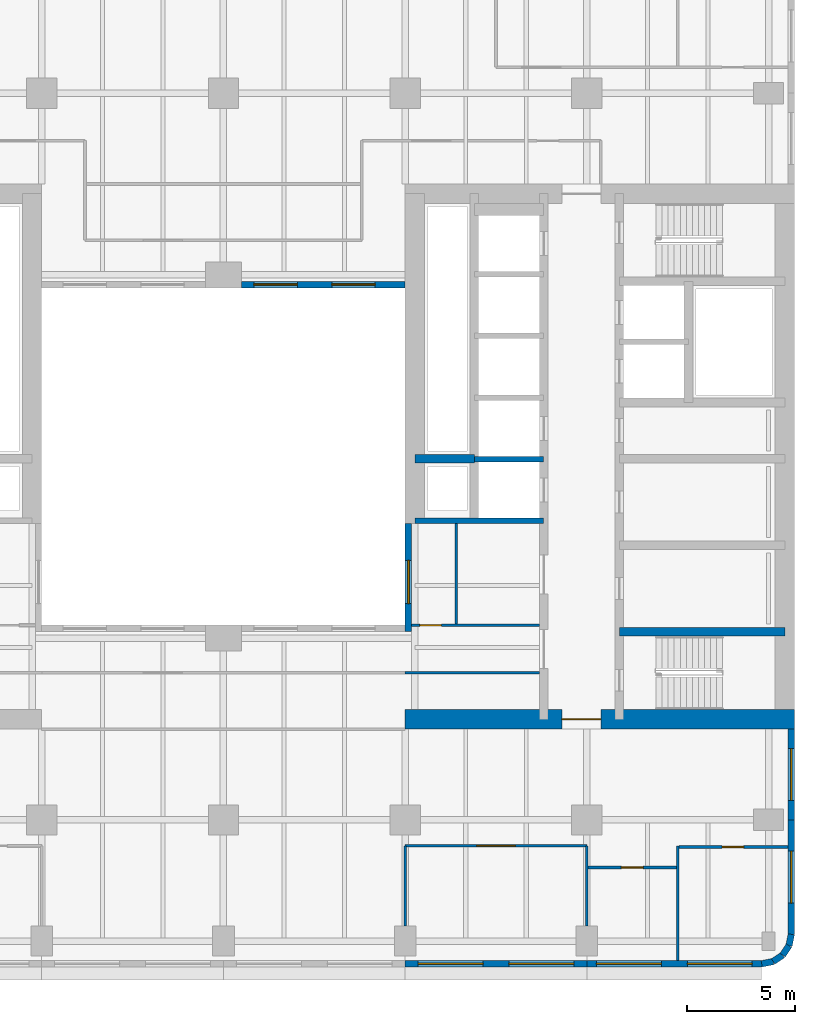
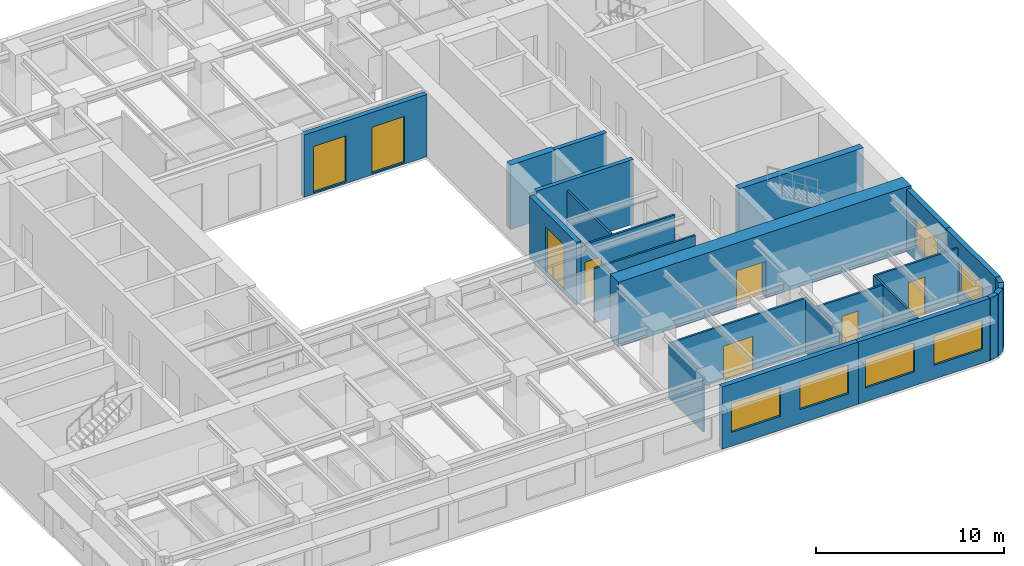
# One storey, part 5 of 11: 24 walls, 9 windows, 5 doors, 14 openings.
"""IFC4 building model written with IfcOpenShell, lengths in metres."""

from ifc_helpers import new_model, si_unit, direction, frame, frame_2d, origin, place, context, subcontext, project, spatial, rectangle, extrude, material, layer, layer_set, type_object, element, fill, save


model = new_model("IFC4")

# Units and contexts
model_context = context("Model", 3, precision=1e-05, world=origin(), true_north=direction((0.0, 1.0)))
body_context = subcontext(model_context, "Body", "Model", "MODEL_VIEW")
ifc_project = project(units=[si_unit("LENGTHUNIT", "METRE"), si_unit("AREAUNIT", "SQUARE_METRE"), si_unit("VOLUMEUNIT", "CUBIC_METRE"), si_unit("PLANEANGLEUNIT", "RADIAN"), si_unit("MASSUNIT", "GRAM", prefix="KILO")], contexts=[model_context])

# Site, building, storey
site_placement = place(None, origin())
site = spatial("IfcSite", under=ifc_project, at=site_placement, CompositionType="ELEMENT")
building_placement = place(site_placement, origin())
building = spatial("IfcBuilding", under=site, at=building_placement, Name="Claustro Exchange Tower", CompositionType="ELEMENT")
storey_placement = place(building_placement, frame((0.0, 0.0, 105.0)))
storey = spatial("IfcBuildingStorey", under=building, at=storey_placement, Name="L23", CompositionType="ELEMENT", Elevation=105.0)

# Wall, opening, door
ifc_material_1 = material(Name="Laminated glass in aluminium frame", Category="aluminium")
ifc_layer_1 = layer(ifc_material_1, 0.1201171875)
ifc_layer_set_1 = layer_set([ifc_layer_1], Name="Laminated glass in aluminium frame")
wall_type_1 = type_object("IfcWallType", Name="P2 120 glazed partition", PredefinedType="PARTITIONING", material=ifc_layer_set_1)
wall_1_placement = place(storey_placement, frame((33.89794921875, 17.39990234375, 0.0), z_axis=(0.0, 0.0, 1.0), x_axis=(1.0, 0.0, 0.0)))
wall_1 = element("IfcWall", 1, at=wall_1_placement, inside=storey, type_object=wall_type_1, Name="Partition P2 L23", PredefinedType="PARTITIONING", context=body_context, shape_type="SweptSolid", body=[
    extrude(rectangle(XDim=5.904052734375, YDim=0.1201171875, at=frame_2d((2.9521484375, 0.0))), origin(), (0.0, 0.0, 1.0), 3.550048828125),
])
opening_1_placement = place(wall_1_placement, frame((0.3798828125, 0.0, 0.0)))
opening_1 = element("IfcOpeningElement", 2, at=opening_1_placement, cuts=wall_1, Name="Opening D7", PredefinedType="OPENING", context=body_context, shape_type="SweptSolid", body=[
    extrude(rectangle(XDim=1.0, YDim=2.39990234375, at=frame_2d((0.5, 1.199951171875))), frame((0.0, 0.070068359375, 0.0), z_axis=(0.0, -1.0, 0.0), x_axis=(1.0, 0.0, 0.0)), (0.0, 0.0, 1.0), 0.14013671875),
])
ifc_material_2 = material(Name="Glass door in aluminium frame", Category="aluminium")
door_type_1 = type_object("IfcDoorType", Name="D7 1000 x 2400 glazed door", OperationType="SINGLE_SWING_LEFT", PredefinedType="DOOR", material=ifc_material_2)
door_1_placement = place(opening_1_placement, origin())
door_1 = element("IfcDoor", 3, at=door_1_placement, inside=storey, type_object=door_type_1, Name="Door D7 L23", OperationType="SINGLE_SWING_RIGHT", OverallHeight=2.39990234375, OverallWidth=1.0, PredefinedType="DOOR", context=body_context, shape_type="SweptSolid", body=[
    extrude(rectangle(XDim=1.0, YDim=2.39990234375, at=frame_2d((0.5, 1.199951171875))), frame((0.0, 0.02490234375, 0.0), z_axis=(0.0, -1.0, 0.0), x_axis=(1.0, 0.0, 0.0)), (0.0, 0.0, 1.0), 0.050048828125),
])
fill(opening_1, door_1)

# Wall
wall_2_placement = place(storey_placement, frame((35.9560546875, 17.4580078125, 0.0), z_axis=(0.0, 0.0, 1.0), x_axis=(0.0, 1.0, 0.0)))
element("IfcWall", 4, at=wall_2_placement, inside=storey, type_object=wall_type_1, Name="Partition P2 L23", PredefinedType="PARTITIONING", context=body_context, shape_type="SweptSolid", body=[
    extrude(rectangle(XDim=4.64404296875, YDim=0.1201171875, at=frame_2d((2.322021484375, 0.0))), origin(), (0.0, 0.0, 1.0), 3.60009765625),
])

# Wall, opening, door
wall_3_placement = place(storey_placement, frame((42.05810546875, 6.199951171875, 0.0), z_axis=(0.0, 0.0, 1.0), x_axis=(1.0, 0.0, 0.0)))
wall_3 = element("IfcWall", 5, at=wall_3_placement, inside=storey, type_object=wall_type_1, Name="Partition P2 L23", PredefinedType="PARTITIONING", context=body_context, shape_type="SweptSolid", body=[
    extrude(rectangle(XDim=4.083984375, YDim=0.1201171875, at=frame_2d((2.0419921875, 0.0))), origin(), (0.0, 0.0, 1.0), 3.550048828125),
])
opening_2_placement = place(wall_3_placement, frame((1.5419921875, 0.0, 0.0)))
opening_2 = element("IfcOpeningElement", 6, at=opening_2_placement, cuts=wall_3, Name="Opening D7", PredefinedType="OPENING", context=body_context, shape_type="SweptSolid", body=[
    extrude(rectangle(XDim=1.0, YDim=2.39990234375, at=frame_2d((0.5, 1.199951171875))), frame((0.0, 0.070068359375, 0.0), z_axis=(0.0, -1.0, 0.0), x_axis=(1.0, 0.0, 0.0)), (0.0, 0.0, 1.0), 0.14013671875),
])
door_2_placement = place(opening_2_placement, frame((1.0, 0.0, 0.0), z_axis=(0.0, 0.0, 1.0), x_axis=(-1.0, 0.0, 0.0)))
door_2 = element("IfcDoor", 7, at=door_2_placement, inside=storey, type_object=door_type_1, Name="Door D7 L23", OperationType="SINGLE_SWING_RIGHT", OverallHeight=2.39990234375, OverallWidth=1.0, PredefinedType="DOOR", context=body_context, shape_type="SweptSolid", body=[
    extrude(rectangle(XDim=1.0, YDim=2.39990234375, at=frame_2d((0.5, 1.199951171875))), frame((0.0, 0.02490234375, 0.0), z_axis=(0.0, -1.0, 0.0), x_axis=(1.0, 0.0, 0.0)), (0.0, 0.0, 1.0), 0.050048828125),
])
fill(opening_2, door_2)

wall_4_placement = place(storey_placement, frame((46.258056640625, 7.14990234375, 0.0), z_axis=(0.0, 0.0, 1.0), x_axis=(1.0, 0.0, 0.0)))
wall_4 = element("IfcWall", 8, at=wall_4_placement, inside=storey, type_object=wall_type_1, Name="Partition P2 L23", PredefinedType="PARTITIONING", context=body_context, shape_type="SweptSolid", body=[
    extrude(rectangle(XDim=5.0439453125, YDim=0.1201171875, at=frame_2d((2.52197265625, 0.0))), origin(), (0.0, 0.0, 1.0), 3.56005859375),
])
opening_3_placement = place(wall_4_placement, frame((1.991943359375, 0.0, 0.0)))
opening_3 = element("IfcOpeningElement", 9, at=opening_3_placement, cuts=wall_4, Name="Opening D7", PredefinedType="OPENING", context=body_context, shape_type="SweptSolid", body=[
    extrude(rectangle(XDim=1.0, YDim=2.39990234375, at=frame_2d((0.5, 1.199951171875))), frame((0.0, 0.070068359375, 0.0), z_axis=(0.0, -1.0, 0.0), x_axis=(1.0, 0.0, 0.0)), (0.0, 0.0, 1.0), 0.14013671875),
])
door_3_placement = place(opening_3_placement, frame((1.0, 0.0, 0.0), z_axis=(0.0, 0.0, 1.0), x_axis=(-1.0, 0.0, 0.0)))
door_3 = element("IfcDoor", 10, at=door_3_placement, inside=storey, type_object=door_type_1, Name="Door D7 L23", OperationType="SINGLE_SWING_RIGHT", OverallHeight=2.39990234375, OverallWidth=1.0, PredefinedType="DOOR", context=body_context, shape_type="SweptSolid", body=[
    extrude(rectangle(XDim=1.0, YDim=2.39990234375, at=frame_2d((0.5, 1.199951171875))), frame((0.0, 0.02490234375, 0.0), z_axis=(0.0, -1.0, 0.0), x_axis=(1.0, 0.0, 0.0)), (0.0, 0.0, 1.0), 0.050048828125),
])
fill(opening_3, door_3)

wall_5_placement = place(storey_placement, frame((33.60009765625, 7.199951171875, 0.0), z_axis=(0.0, 0.0, 1.0), x_axis=(1.0, 0.0, 0.0)))
wall_5 = element("IfcWall", 11, at=wall_5_placement, inside=storey, type_object=wall_type_1, Name="Partition P2 L23", PredefinedType="PARTITIONING", context=body_context, shape_type="SweptSolid", body=[
    extrude(rectangle(XDim=8.39990234375, YDim=0.1201171875, at=frame_2d((4.199951171875, 0.0))), origin(), (0.0, 0.0, 1.0), 3.550048828125),
])
opening_4_placement = place(wall_5_placement, frame((3.300048828125, 0.0, 0.0)))
opening_4 = element("IfcOpeningElement", 12, at=opening_4_placement, cuts=wall_5, Name="Opening D2", PredefinedType="OPENING", context=body_context, shape_type="SweptSolid", body=[
    extrude(rectangle(XDim=1.800048828125, YDim=2.199951171875, at=frame_2d((0.89990234375, 1.10009765625))), frame((0.0, 0.070068359375, 0.0), z_axis=(0.0, -1.0, 0.0), x_axis=(1.0, 0.0, 0.0)), (0.0, 0.0, 1.0), 0.14013671875),
])
ifc_material_3 = material(Name="Timber door, oak veneer", Category="wood")
door_type_2 = type_object("IfcDoorType", Name="D2 1800 x 2200 double door", OperationType="DOUBLE_DOOR_SINGLE_SWING", PredefinedType="DOOR", material=ifc_material_3)
door_4_placement = place(opening_4_placement, frame((1.800048828125, 0.0, 0.0), z_axis=(0.0, 0.0, 1.0), x_axis=(-1.0, 0.0, 0.0)))
door_4 = element("IfcDoor", 13, at=door_4_placement, inside=storey, type_object=door_type_2, Name="Double door D2 L23", OperationType="DOUBLE_DOOR_SINGLE_SWING", OverallHeight=2.199951171875, OverallWidth=1.800048828125, PredefinedType="DOOR", context=body_context, shape_type="SweptSolid", body=[
    extrude(rectangle(XDim=1.800048828125, YDim=2.199951171875, at=frame_2d((0.89990234375, 1.10009765625))), frame((0.0, 0.02490234375, 0.0), z_axis=(0.0, -1.0, 0.0), x_axis=(1.0, 0.0, 0.0)), (0.0, 0.0, 1.0), 0.050048828125),
])
fill(opening_4, door_4)

# Walls
for number, where, z_axis, x_axis, name in (
    (14, (33.60009765625, 3.4990234375, 0.0), (0.0, 0.0, 1.0), (0.0, 1.0, 0.0), "Partition P2 L23"),
    (15, (42.0, 3.4990234375, 0.0), (0.0, 0.0, 1.0), (0.0, 1.0, 0.0), "Partition P2 L23"),
):
    element("IfcWall", number, at=place(storey_placement, frame(where, z_axis=z_axis, x_axis=x_axis)), inside=storey, type_object=wall_type_1, Name=name, PredefinedType="PARTITIONING", context=body_context, shape_type="SweptSolid", body=[
        extrude(rectangle(XDim=3.700927734375, YDim=0.1201171875, at=frame_2d((1.8505859375, 0.0))), origin(), (0.0, 0.0, 1.0), 3.550048828125),
    ])
wall_6_placement = place(storey_placement, frame((46.199951171875, 1.89794921875, 0.0), z_axis=(0.0, 0.0, 1.0), x_axis=(0.0, 1.0, 0.0)))
element("IfcWall", 16, at=wall_6_placement, inside=storey, type_object=wall_type_1, Name="Partition P2 L23", PredefinedType="PARTITIONING", context=body_context, shape_type="SweptSolid", body=[
    extrude(rectangle(XDim=5.302001953125, YDim=0.1201171875, at=frame_2d((2.65087890625, 0.0))), origin(), (0.0, 0.0, 1.0), 3.56005859375),
])
wall_7_placement = place(storey_placement, frame((33.597900390625, 15.199951171875, 0.0), z_axis=(0.0, 0.0, 1.0), x_axis=(1.0, 0.0, 0.0)))
element("IfcWall", 17, at=wall_7_placement, inside=storey, type_object=wall_type_1, Name="Partition P2 L23", PredefinedType="PARTITIONING", context=body_context, shape_type="SweptSolid", body=[
    extrude(rectangle(XDim=6.2041015625, YDim=0.1201171875, at=frame_2d((3.10205078125, 0.0))), origin(), (0.0, 0.0, 1.0), 3.550048828125),
])

# Wall, openings, windows
ifc_material_4 = material(Name="Concrete HA-40 (C40/50), precast, white cement, acid-etched", Category="concrete")
ifc_layer_2 = layer(ifc_material_4, 0.300048828125)
ifc_layer_set_2 = layer_set([ifc_layer_2], Name="Concrete HA-40 (C40/50), precast, white cement, acid-etched")
wall_type_2 = type_object("IfcWallType", Name="PC1 300 precast concrete pier panel", PredefinedType="SOLIDWALL", material=ifc_layer_set_2)
wall_8_placement = place(storey_placement, frame((50.085205078125, 1.75, 0.0), z_axis=(0.0, 0.0, 1.0), x_axis=(-1.0, 0.0, 0.0)))
wall_8 = element("IfcWall", 18, at=wall_8_placement, inside=storey, type_object=wall_type_2, Name="Precast pier panel PC1 L23", PredefinedType="SOLIDWALL", context=body_context, shape_type="SweptSolid", body=[
    extrude(rectangle(XDim=8.085205078125, YDim=0.300048828125, at=frame_2d((4.04248046875, 0.0))), origin(), (0.0, 0.0, 1.0), 4.050048828125),
])
opening_5_placement = place(wall_8_placement, frame((0.442626953125, 0.0, 0.89990234375)))
opening_5 = element("IfcOpeningElement", 19, at=opening_5_placement, cuts=wall_8, Name="Opening W1", PredefinedType="OPENING", context=body_context, shape_type="SweptSolid", body=[
    extrude(rectangle(XDim=3.0, YDim=1.89990234375, at=frame_2d((1.5, 0.949951171875))), frame((0.0, 0.159912109375, 0.0), z_axis=(0.0, -1.0, 0.0), x_axis=(1.0, 0.0, 0.0)), (0.0, 0.0, 1.0), 0.320068359375),
])
opening_6_placement = place(wall_8_placement, frame((4.642578125, 0.0, 0.89990234375)))
opening_6 = element("IfcOpeningElement", 20, at=opening_6_placement, cuts=wall_8, Name="Opening W1", PredefinedType="OPENING", context=body_context, shape_type="SweptSolid", body=[
    extrude(rectangle(XDim=3.0, YDim=1.89990234375, at=frame_2d((1.5, 0.949951171875))), frame((0.0, 0.159912109375, 0.0), z_axis=(0.0, -1.0, 0.0), x_axis=(1.0, 0.0, 0.0)), (0.0, 0.0, 1.0), 0.320068359375),
])
ifc_material_5 = material(Name="Aluminium frame, clear double glazing", Category="aluminium")
window_type_1 = type_object("IfcWindowType", Name="W1 3000 x 1900 window", PartitioningType="SINGLE_PANEL", PredefinedType="WINDOW", material=ifc_material_5)
window_1_placement = place(opening_5_placement, origin())
window_1 = element("IfcWindow", 21, at=window_1_placement, inside=storey, type_object=window_type_1, Name="Window W1 L23", OverallHeight=1.89990234375, OverallWidth=3.0, PartitioningType="SINGLE_PANEL", PredefinedType="WINDOW", context=body_context, shape_type="SweptSolid", body=[
    extrude(rectangle(XDim=3.0, YDim=1.89990234375, at=frame_2d((1.5, 0.949951171875))), frame((0.0, 0.030029296875, 0.0), z_axis=(0.0, -1.0, 0.0), x_axis=(1.0, 0.0, 0.0)), (0.0, 0.0, 1.0), 0.06005859375),
])
fill(opening_5, window_1)
window_2_placement = place(opening_6_placement, origin())
window_2 = element("IfcWindow", 22, at=window_2_placement, inside=storey, type_object=window_type_1, Name="Window W1 L23", OverallHeight=1.89990234375, OverallWidth=3.0, PartitioningType="SINGLE_PANEL", PredefinedType="WINDOW", context=body_context, shape_type="SweptSolid", body=[
    extrude(rectangle(XDim=3.0, YDim=1.89990234375, at=frame_2d((1.5, 0.949951171875))), frame((0.0, 0.030029296875, 0.0), z_axis=(0.0, -1.0, 0.0), x_axis=(1.0, 0.0, 0.0)), (0.0, 0.0, 1.0), 0.06005859375),
])
fill(opening_6, window_2)

wall_9_placement = place(storey_placement, frame((42.0, 1.75, 0.0), z_axis=(0.0, 0.0, 1.0), x_axis=(-1.0, 0.0, 0.0)))
wall_9 = element("IfcWall", 23, at=wall_9_placement, inside=storey, type_object=wall_type_2, Name="Precast pier panel PC1 L23", PredefinedType="SOLIDWALL", context=body_context, shape_type="SweptSolid", body=[
    extrude(rectangle(XDim=8.39990234375, YDim=0.300048828125, at=frame_2d((4.199951171875, 0.0))), origin(), (0.0, 0.0, 1.0), 4.050048828125),
])
opening_7_placement = place(wall_9_placement, frame((0.60009765625, 0.0, 0.89990234375)))
opening_7 = element("IfcOpeningElement", 24, at=opening_7_placement, cuts=wall_9, Name="Opening W1", PredefinedType="OPENING", context=body_context, shape_type="SweptSolid", body=[
    extrude(rectangle(XDim=3.0, YDim=1.89990234375, at=frame_2d((1.5, 0.949951171875))), frame((0.0, 0.159912109375, 0.0), z_axis=(0.0, -1.0, 0.0), x_axis=(1.0, 0.0, 0.0)), (0.0, 0.0, 1.0), 0.320068359375),
])
opening_8_placement = place(wall_9_placement, frame((4.800048828125, 0.0, 0.89990234375)))
opening_8 = element("IfcOpeningElement", 25, at=opening_8_placement, cuts=wall_9, Name="Opening W1", PredefinedType="OPENING", context=body_context, shape_type="SweptSolid", body=[
    extrude(rectangle(XDim=3.0, YDim=1.89990234375, at=frame_2d((1.5, 0.949951171875))), frame((0.0, 0.159912109375, 0.0), z_axis=(0.0, -1.0, 0.0), x_axis=(1.0, 0.0, 0.0)), (0.0, 0.0, 1.0), 0.320068359375),
])
window_3_placement = place(opening_7_placement, origin())
window_3 = element("IfcWindow", 26, at=window_3_placement, inside=storey, type_object=window_type_1, Name="Window W1 L23", OverallHeight=1.89990234375, OverallWidth=3.0, PartitioningType="SINGLE_PANEL", PredefinedType="WINDOW", context=body_context, shape_type="SweptSolid", body=[
    extrude(rectangle(XDim=3.0, YDim=1.89990234375, at=frame_2d((1.5, 0.949951171875))), frame((0.0, 0.030029296875, 0.0), z_axis=(0.0, -1.0, 0.0), x_axis=(1.0, 0.0, 0.0)), (0.0, 0.0, 1.0), 0.06005859375),
])
fill(opening_7, window_3)
window_4_placement = place(opening_8_placement, origin())
window_4 = element("IfcWindow", 27, at=window_4_placement, inside=storey, type_object=window_type_1, Name="Window W1 L23", OverallHeight=1.89990234375, OverallWidth=3.0, PartitioningType="SINGLE_PANEL", PredefinedType="WINDOW", context=body_context, shape_type="SweptSolid", body=[
    extrude(rectangle(XDim=3.0, YDim=1.89990234375, at=frame_2d((1.5, 0.949951171875))), frame((0.0, 0.030029296875, 0.0), z_axis=(0.0, -1.0, 0.0), x_axis=(1.0, 0.0, 0.0)), (0.0, 0.0, 1.0), 0.06005859375),
])
fill(opening_8, window_4)

# Wall, opening, window
wall_10_placement = place(storey_placement, frame((51.449951171875, 12.60009765625, 0.0), z_axis=(0.0, 0.0, 1.0), x_axis=(0.0, -1.0, 0.0)))
wall_10 = element("IfcWall", 28, at=wall_10_placement, inside=storey, type_object=wall_type_2, Name="Precast pier panel PC1 L23", PredefinedType="SOLIDWALL", context=body_context, shape_type="SweptSolid", body=[
    extrude(rectangle(XDim=4.2001953125, YDim=0.300048828125, at=frame_2d((2.10009765625, 0.0))), origin(), (0.0, 0.0, 1.0), 4.050048828125),
])
opening_9_placement = place(wall_10_placement, frame((0.89990234375, 0.0, 0.89990234375)))
opening_9 = element("IfcOpeningElement", 29, at=opening_9_placement, cuts=wall_10, Name="Opening W2", PredefinedType="OPENING", context=body_context, shape_type="SweptSolid", body=[
    extrude(rectangle(XDim=2.39990234375, YDim=1.89990234375, at=frame_2d((1.199951171875, 0.949951171875))), frame((0.0, 0.159912109375, 0.0), z_axis=(0.0, -1.0, 0.0), x_axis=(1.0, 0.0, 0.0)), (0.0, 0.0, 1.0), 0.320068359375),
])
ifc_material_6 = material(Name="Aluminium frame, clear double glazing", Category="aluminium")
window_type_2 = type_object("IfcWindowType", Name="W2 2400 x 1900 window", PartitioningType="SINGLE_PANEL", PredefinedType="WINDOW", material=ifc_material_6)
window_5_placement = place(opening_9_placement, origin())
window_5 = element("IfcWindow", 30, at=window_5_placement, inside=storey, type_object=window_type_2, Name="Window W2 L23", OverallHeight=1.89990234375, OverallWidth=2.39990234375, PartitioningType="SINGLE_PANEL", PredefinedType="WINDOW", context=body_context, shape_type="SweptSolid", body=[
    extrude(rectangle(XDim=2.39990234375, YDim=1.89990234375, at=frame_2d((1.199951171875, 0.949951171875))), frame((0.0, 0.030029296875, 0.0), z_axis=(0.0, -1.0, 0.0), x_axis=(1.0, 0.0, 0.0)), (0.0, 0.0, 1.0), 0.06005859375),
])
fill(opening_9, window_5)

wall_11_placement = place(storey_placement, frame((51.449951171875, 8.39990234375, 0.0), z_axis=(0.0, 0.0, 1.0), x_axis=(0.0, -1.0, 0.0)))
wall_11 = element("IfcWall", 31, at=wall_11_placement, inside=storey, type_object=wall_type_2, Name="Precast pier panel PC1 L23", PredefinedType="SOLIDWALL", context=body_context, shape_type="SweptSolid", body=[
    extrude(rectangle(XDim=5.28515625, YDim=0.300048828125, at=frame_2d((2.642578125, 0.0))), origin(), (0.0, 0.0, 1.0), 4.050048828125),
])
opening_10_placement = place(wall_11_placement, frame((1.442626953125, 0.0, 0.89990234375)))
opening_10 = element("IfcOpeningElement", 32, at=opening_10_placement, cuts=wall_11, Name="Opening W2", PredefinedType="OPENING", context=body_context, shape_type="SweptSolid", body=[
    extrude(rectangle(XDim=2.39990234375, YDim=1.89990234375, at=frame_2d((1.199951171875, 0.949951171875))), frame((0.0, 0.159912109375, 0.0), z_axis=(0.0, -1.0, 0.0), x_axis=(1.0, 0.0, 0.0)), (0.0, 0.0, 1.0), 0.320068359375),
])
window_6_placement = place(opening_10_placement, origin())
window_6 = element("IfcWindow", 33, at=window_6_placement, inside=storey, type_object=window_type_2, Name="Window W2 L23", OverallHeight=1.89990234375, OverallWidth=2.39990234375, PartitioningType="SINGLE_PANEL", PredefinedType="WINDOW", context=body_context, shape_type="SweptSolid", body=[
    extrude(rectangle(XDim=2.39990234375, YDim=1.89990234375, at=frame_2d((1.199951171875, 0.949951171875))), frame((0.0, 0.030029296875, 0.0), z_axis=(0.0, -1.0, 0.0), x_axis=(1.0, 0.0, 0.0)), (0.0, 0.0, 1.0), 0.06005859375),
])
fill(opening_10, window_6)

# Walls
wall_12_placement = place(storey_placement, frame((51.449951171875, 3.11474609375, 0.0), z_axis=(0.0, 0.0, 1.0), x_axis=(-0.195073962632, -0.980788534345, 0.0)))
element("IfcWall", 34, at=wall_12_placement, inside=storey, type_object=wall_type_2, Name="Precast pier panel PC1 L23", PredefinedType="SOLIDWALL", context=body_context, shape_type="SweptSolid", body=[
    extrude(rectangle(XDim=0.540771484375, YDim=0.300048828125, at=frame_2d((0.2705078125, 0.0))), origin(), (0.0, 0.0, 1.0), 4.050048828125),
])
for number, where, z_axis, x_axis, name in (
    (35, (51.344482421875, 2.58447265625, 0.0), (0.0, 0.0, 1.0), (-0.555557463938, -0.831478144188, 0.0), "Precast pier panel PC1 L23"),
    (36, (51.052490234375, 2.1474609375, 0.0), (0.0, 0.0, 1.0), (-0.831478144188, -0.555557463938, 0.0), "Precast pier panel PC1 L23"),
):
    element("IfcWall", number, at=place(storey_placement, frame(where, z_axis=z_axis, x_axis=x_axis)), inside=storey, type_object=wall_type_2, Name=name, PredefinedType="SOLIDWALL", context=body_context, shape_type="SweptSolid", body=[
        extrude(rectangle(XDim=0.525634765625, YDim=0.300048828125, at=frame_2d((0.2626953125, 0.0))), origin(), (0.0, 0.0, 1.0), 4.050048828125),
    ])
wall_13_placement = place(storey_placement, frame((50.615478515625, 1.85546875, 0.0), z_axis=(0.0, 0.0, 1.0), x_axis=(-0.980788534345, -0.195073962632, 0.0)))
element("IfcWall", 37, at=wall_13_placement, inside=storey, type_object=wall_type_2, Name="Precast pier panel PC1 L23", PredefinedType="SOLIDWALL", context=body_context, shape_type="SweptSolid", body=[
    extrude(rectangle(XDim=0.540771484375, YDim=0.300048828125, at=frame_2d((0.2705078125, 0.0))), origin(), (0.0, 0.0, 1.0), 4.050048828125),
])

# Wall, opening, window
wall_14_placement = place(storey_placement, frame((33.75, 17.10009765625, 0.0), z_axis=(0.0, 0.0, 1.0), x_axis=(0.0, 1.0, 0.0)))
wall_14 = element("IfcWall", 38, at=wall_14_placement, inside=storey, type_object=wall_type_2, Name="Precast pier panel PC1 L23", PredefinedType="SOLIDWALL", context=body_context, shape_type="SweptSolid", body=[
    extrude(rectangle(XDim=5.0, YDim=0.300048828125, at=frame_2d((2.5, 0.0))), origin(), (0.0, 0.0, 1.0), 4.050048828125),
])
opening_11_placement = place(wall_14_placement, frame((1.300048828125, 0.0, 0.10009765625)))
opening_11 = element("IfcOpeningElement", 39, at=opening_11_placement, cuts=wall_14, Name="Opening W-A", PredefinedType="OPENING", context=body_context, shape_type="SweptSolid", body=[
    extrude(rectangle(XDim=2.0, YDim=3.0, at=frame_2d((1.0, 1.5))), frame((0.0, 0.159912109375, 0.0), z_axis=(0.0, -1.0, 0.0), x_axis=(1.0, 0.0, 0.0)), (0.0, 0.0, 1.0), 0.320068359375),
])
ifc_material_7 = material(Name="Aluminium frame, clear double glazing", Category="aluminium")
window_type_3 = type_object("IfcWindowType", Name="W-A 2000 x 3000 arcade window", PartitioningType="SINGLE_PANEL", PredefinedType="WINDOW", material=ifc_material_7)
window_7_placement = place(opening_11_placement, origin())
window_7 = element("IfcWindow", 40, at=window_7_placement, inside=storey, type_object=window_type_3, Name="Window W-A L23", OverallHeight=3.0, OverallWidth=2.0, PartitioningType="SINGLE_PANEL", PredefinedType="WINDOW", context=body_context, shape_type="SweptSolid", body=[
    extrude(rectangle(XDim=2.0, YDim=3.0, at=frame_2d((1.0, 1.5))), frame((0.0, 0.030029296875, 0.0), z_axis=(0.0, -1.0, 0.0), x_axis=(1.0, 0.0, 0.0)), (0.0, 0.0, 1.0), 0.06005859375),
])
fill(opening_11, window_7)

# Wall, openings, windows
wall_15_placement = place(storey_placement, frame((26.02490234375, 33.14990234375, 0.0), z_axis=(0.0, 0.0, 1.0), x_axis=(1.0, 0.0, 0.0)))
wall_15 = element("IfcWall", 41, at=wall_15_placement, inside=storey, type_object=wall_type_2, Name="Precast pier panel PC1 L23", PredefinedType="SOLIDWALL", context=body_context, shape_type="SweptSolid", body=[
    extrude(rectangle(XDim=7.5751953125, YDim=0.300048828125, at=frame_2d((3.78759765625, 0.0))), origin(), (0.0, 0.0, 1.0), 4.050048828125),
])
opening_12_placement = place(wall_15_placement, frame((0.58740234375, 0.0, 0.10009765625)))
opening_12 = element("IfcOpeningElement", 42, at=opening_12_placement, cuts=wall_15, Name="Opening W-A", PredefinedType="OPENING", context=body_context, shape_type="SweptSolid", body=[
    extrude(rectangle(XDim=2.0, YDim=3.0, at=frame_2d((1.0, 1.5))), frame((0.0, 0.159912109375, 0.0), z_axis=(0.0, -1.0, 0.0), x_axis=(1.0, 0.0, 0.0)), (0.0, 0.0, 1.0), 0.320068359375),
])
opening_13_placement = place(wall_15_placement, frame((4.1875, 0.0, 0.10009765625)))
opening_13 = element("IfcOpeningElement", 43, at=opening_13_placement, cuts=wall_15, Name="Opening W-A", PredefinedType="OPENING", context=body_context, shape_type="SweptSolid", body=[
    extrude(rectangle(XDim=2.0, YDim=3.0, at=frame_2d((1.0, 1.5))), frame((0.0, 0.159912109375, 0.0), z_axis=(0.0, -1.0, 0.0), x_axis=(1.0, 0.0, 0.0)), (0.0, 0.0, 1.0), 0.320068359375),
])
window_8_placement = place(opening_12_placement, origin())
window_8 = element("IfcWindow", 44, at=window_8_placement, inside=storey, type_object=window_type_3, Name="Window W-A L23", OverallHeight=3.0, OverallWidth=2.0, PartitioningType="SINGLE_PANEL", PredefinedType="WINDOW", context=body_context, shape_type="SweptSolid", body=[
    extrude(rectangle(XDim=2.0, YDim=3.0, at=frame_2d((1.0, 1.5))), frame((0.0, 0.030029296875, 0.0), z_axis=(0.0, -1.0, 0.0), x_axis=(1.0, 0.0, 0.0)), (0.0, 0.0, 1.0), 0.06005859375),
])
fill(opening_12, window_8)
window_9_placement = place(opening_13_placement, origin())
window_9 = element("IfcWindow", 45, at=window_9_placement, inside=storey, type_object=window_type_3, Name="Window W-A L23", OverallHeight=3.0, OverallWidth=2.0, PartitioningType="SINGLE_PANEL", PredefinedType="WINDOW", context=body_context, shape_type="SweptSolid", body=[
    extrude(rectangle(XDim=2.0, YDim=3.0, at=frame_2d((1.0, 1.5))), frame((0.0, 0.030029296875, 0.0), z_axis=(0.0, -1.0, 0.0), x_axis=(1.0, 0.0, 0.0)), (0.0, 0.0, 1.0), 0.06005859375),
])
fill(opening_13, window_9)

# Wall, opening, door
ifc_material_8 = material(Name="Concrete HA-70 (C70/85)", Category="concrete")
ifc_layer_3 = layer(ifc_material_8, 0.89990234375)
ifc_layer_set_3 = layer_set([ifc_layer_3], Name="Concrete HA-70 (C70/85)")
wall_type_3 = type_object("IfcWallType", Name="SW1 900 core shear wall", PredefinedType="SHEAR", material=ifc_layer_set_3)
wall_16_placement = place(storey_placement, frame((33.60009765625, 13.050048828125, 0.0), z_axis=(0.0, 0.0, 1.0), x_axis=(1.0, 0.0, 0.0)))
wall_16 = element("IfcWall", 46, at=wall_16_placement, inside=storey, type_object=wall_type_3, Name="Core wall SW1 E core S face L23", PredefinedType="SHEAR", context=body_context, shape_type="SweptSolid", body=[
    extrude(rectangle(XDim=18.0, YDim=0.89990234375, at=frame_2d((9.0, 0.0))), origin(), (0.0, 0.0, 1.0), 4.199951171875),
])
opening_14_placement = place(wall_16_placement, frame((7.25, 0.0, 0.0)))
opening_14 = element("IfcOpeningElement", 47, at=opening_14_placement, cuts=wall_16, Name="Opening D3", PredefinedType="OPENING", context=body_context, shape_type="SweptSolid", body=[
    extrude(rectangle(XDim=1.800048828125, YDim=2.39990234375, at=frame_2d((0.89990234375, 1.199951171875))), frame((0.0, 0.4599609375, 0.0), z_axis=(0.0, -1.0, 0.0), x_axis=(1.0, 0.0, 0.0)), (0.0, 0.0, 1.0), 0.919921875),
])
ifc_material_9 = material(Name="Steel fire door, painted", Category="steel")
door_type_3 = type_object("IfcDoorType", Name="D3 1800 x 2400 fire-rated lobby double door", OperationType="DOUBLE_DOOR_SINGLE_SWING", PredefinedType="DOOR", material=ifc_material_9)
door_5_placement = place(opening_14_placement, frame((1.800048828125, 0.0, 0.0), z_axis=(0.0, 0.0, 1.0), x_axis=(-1.0, 0.0, 0.0)))
door_5 = element("IfcDoor", 48, at=door_5_placement, inside=storey, type_object=door_type_3, Name="Lift lobby door D3 L23", OperationType="DOUBLE_DOOR_SINGLE_SWING", OverallHeight=2.39990234375, OverallWidth=1.800048828125, PredefinedType="DOOR", context=body_context, shape_type="SweptSolid", body=[
    extrude(rectangle(XDim=1.800048828125, YDim=2.39990234375, at=frame_2d((0.89990234375, 1.199951171875))), frame((0.0, 0.02490234375, 0.0), z_axis=(0.0, -1.0, 0.0), x_axis=(1.0, 0.0, 0.0)), (0.0, 0.0, 1.0), 0.050048828125),
])
fill(opening_14, door_5)

# Walls
ifc_material_10 = material(Name="Concrete HA-50 (C50/60)", Category="concrete")
ifc_layer_4 = layer(ifc_material_10, 0.39990234375)
ifc_layer_set_4 = layer_set([ifc_layer_4], Name="Concrete HA-50 (C50/60)")
wall_type_4 = type_object("IfcWallType", Name="SW4 400 internal core wall", PredefinedType="SHEAR", material=ifc_layer_set_4)
wall_17_placement = place(storey_placement, frame((51.14990234375, 17.10009765625, 0.0), z_axis=(0.0, 0.0, 1.0), x_axis=(-1.0, 0.0, 0.0)))
element("IfcWall", 49, at=wall_17_placement, inside=storey, type_object=wall_type_4, Name="Internal core wall SW4 E core L23", PredefinedType="SHEAR", context=body_context, shape_type="SweptSolid", body=[
    extrude(rectangle(XDim=7.64990234375, YDim=0.39990234375, at=frame_2d((3.824951171875, 0.0))), origin(), (0.0, 0.0, 1.0), 4.199951171875),
])
wall_18_placement = place(storey_placement, frame((36.800048828125, 25.10009765625, 0.0), z_axis=(0.0, 0.0, 1.0), x_axis=(-1.0, 0.0, 0.0)))
element("IfcWall", 50, at=wall_18_placement, inside=storey, type_object=wall_type_4, Name="Internal core wall SW4 E core L23", PredefinedType="SHEAR", context=body_context, shape_type="SweptSolid", body=[
    extrude(rectangle(XDim=2.75, YDim=0.39990234375, at=frame_2d((1.375, 0.0))), origin(), (0.0, 0.0, 1.0), 4.199951171875),
])
ifc_material_11 = material(Name="Concrete HA-50 (C50/60)", Category="concrete")
ifc_layer_5 = layer(ifc_material_11, 0.25)
ifc_layer_set_5 = layer_set([ifc_layer_5], Name="Concrete HA-50 (C50/60)")
wall_type_5 = type_object("IfcWallType", Name="SW5 250 lift shaft divider wall", PredefinedType="SHEAR", material=ifc_layer_set_5)
wall_19_placement = place(storey_placement, frame((40.0, 22.22509765625, 0.0), z_axis=(0.0, 0.0, 1.0), x_axis=(-1.0, 0.0, 0.0)))
element("IfcWall", 51, at=wall_19_placement, inside=storey, type_object=wall_type_5, Name="Core step wall E core L23", PredefinedType="SHEAR", context=body_context, shape_type="SweptSolid", body=[
    extrude(rectangle(XDim=5.949951171875, YDim=0.25, at=frame_2d((2.97509765625, 0.0))), origin(), (0.0, 0.0, 1.0), 4.199951171875),
])
wall_20_placement = place(storey_placement, frame((40.0, 25.074951171875, 0.0), z_axis=(0.0, 0.0, 1.0), x_axis=(-1.0, 0.0, 0.0)))
element("IfcWall", 52, at=wall_20_placement, inside=storey, type_object=wall_type_5, Name="Lift shaft wall E core L23", PredefinedType="SHEAR", context=body_context, shape_type="SweptSolid", body=[
    extrude(rectangle(XDim=3.199951171875, YDim=0.25, at=frame_2d((1.60009765625, 0.0))), origin(), (0.0, 0.0, 1.0), 4.199951171875),
])

save(model, "model.ifc")
